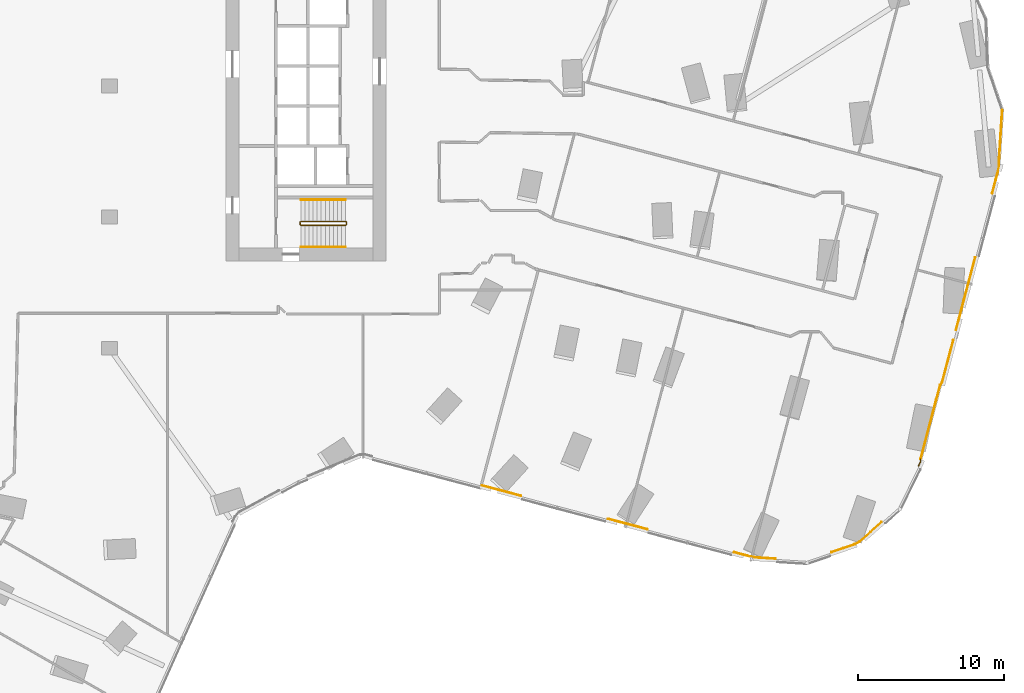
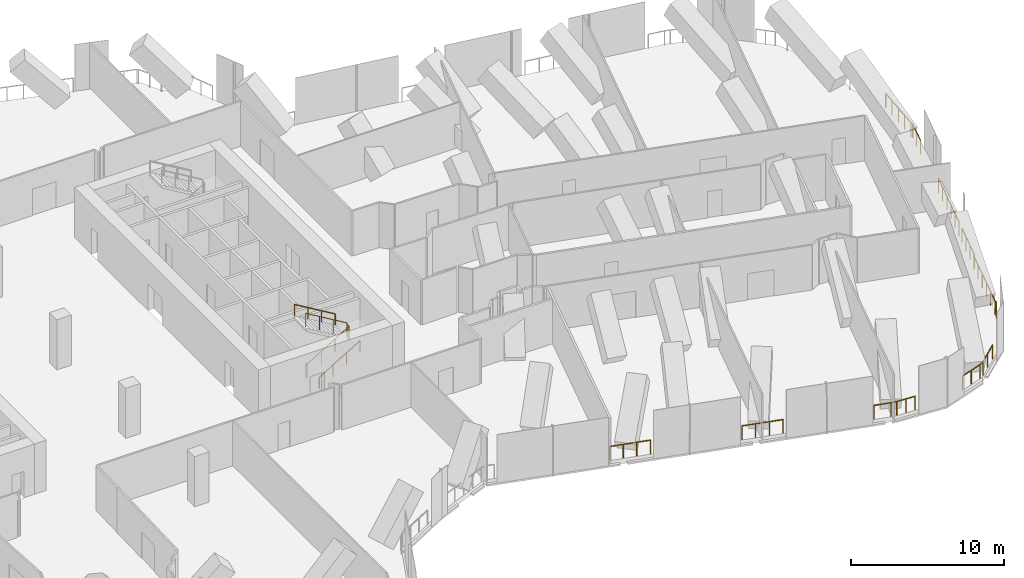
# One storey, part 35 of 37: 11 railings.
"""IFC4 building model written with IfcOpenShell, lengths in metres."""

from ifc_helpers import new_model, si_unit, direction, frame, origin, origin_2d, place, context, subcontext, project, spatial, circle, extrude, material, type_object, element, save


model = new_model("IFC4")

# Units and contexts
model_context = context("Model", 3, precision=1e-05, world=origin(), true_north=direction((0.0, 1.0)))
body_context = subcontext(model_context, "Body", "Model", "MODEL_VIEW")
ifc_project = project(units=[si_unit("LENGTHUNIT", "METRE"), si_unit("AREAUNIT", "SQUARE_METRE"), si_unit("VOLUMEUNIT", "CUBIC_METRE"), si_unit("PLANEANGLEUNIT", "RADIAN"), si_unit("MASSUNIT", "GRAM", prefix="KILO")], contexts=[model_context])

# Site, building, storey
site_placement = place(None, origin())
site = spatial("IfcSite", under=ifc_project, at=site_placement, CompositionType="ELEMENT")
building_placement = place(site_placement, origin())
building = spatial("IfcBuilding", under=site, at=building_placement, Name="Orlundy Tower", CompositionType="ELEMENT")
storey_placement = place(building_placement, frame((0.0, 0.0, 119.699951171875)))
storey = spatial("IfcBuildingStorey", under=building, at=storey_placement, Name="L30", CompositionType="ELEMENT", Elevation=119.699951171875)

# Railings
ifc_material_1 = material(Name="Steel balustrade", Category="steel")
railing_type_1 = type_object("IfcRailingType", Name="Stair Guard 1100", PredefinedType="GUARDRAIL", material=ifc_material_1)
railing_1_placement = place(storey_placement, frame((13.090087890625, -9.5, 0.0)))
element("IfcRailing", 1, at=railing_1_placement, inside=storey, type_object=railing_type_1, Name="L30 ST-E1 stair guard 1", PredefinedType="GUARDRAIL", context=body_context, shape_type="SweptSolid", body=[
    extrude(circle(Radius=0.02392578125, at=origin_2d()), frame((0.0, 0.0, 1.076171875), z_axis=(0.0, 1.0, 0.0), x_axis=(-1.0, 0.0, 0.0)), (0.0, 0.0, 1.0), 0.14990234375),
    extrude(circle(Radius=0.02392578125, at=origin_2d()), frame((0.0, 0.14990234375, 1.076171875), z_axis=(0.1878875253, -0.754313153044, 0.629054802844), x_axis=(0.970351222016, 0.241699205484, 0.0)), (0.0, 0.0, 1.0), 0.26513671875),
    extrude(circle(Radius=0.02392578125, at=origin_2d()), frame((0.0498046875, -0.050048828125, 1.24267578125), z_axis=(0.859308565015, 0.0, 0.511457515432), x_axis=(0.0, 1.0, 0.0)), (0.0, 0.0, 1.0), 3.58447265625),
    extrude(circle(Radius=0.02392578125, at=origin_2d()), frame((3.1298828125, -0.050048828125, 3.076171875), z_axis=(0.707106781187, 0.707106781187, 0.0), x_axis=(-0.707106781187, 0.707106781187, 0.0)), (0.0, 0.0, 1.0), 0.07080078125),
    extrude(circle(Radius=0.02392578125, at=origin_2d()), frame((3.179931640625, 0.0, 3.076171875), z_axis=(0.0, 1.0, 0.0), x_axis=(-1.0, 0.0, 0.0)), (0.0, 0.0, 1.0), 0.14990234375),
    extrude(circle(Radius=0.02392578125, at=origin_2d()), frame((3.179931640625, 0.14990234375, 3.076171875), z_axis=(-0.27628659633, 0.27628659633, 0.920506074601), x_axis=(-0.707106781187, -0.707106781187, 0.0)), (0.0, 0.0, 1.0), 0.18115234375),
    extrude(circle(Radius=0.02392578125, at=origin_2d()), frame((3.1298828125, 0.199951171875, 3.24267578125), z_axis=(-0.859308565015, 0.0, 0.511457515432), x_axis=(0.0, -1.0, 0.0)), (0.0, 0.0, 1.0), 3.58447265625),
    extrude(circle(Radius=0.02099609375, at=origin_2d()), origin(), (0.0, 0.0, 1.0), 1.052001953125),
    extrude(circle(Radius=0.02099609375, at=origin_2d()), frame((0.0, 0.14990234375, 0.0)), (0.0, 0.0, 1.0), 1.052001953125),
    extrude(circle(Radius=0.02099609375, at=origin_2d()), frame((0.0498046875, -0.050048828125, 0.166748046875)), (0.0, 0.0, 1.0), 1.052001953125),
    extrude(circle(Radius=0.02099609375, at=origin_2d()), frame((1.076416015625, -0.050048828125, 0.77783203125)), (0.0, 0.0, 1.0), 1.052001953125),
    extrude(circle(Radius=0.02099609375, at=origin_2d()), frame((2.103271484375, -0.050048828125, 1.388916015625)), (0.0, 0.0, 1.0), 1.052001953125),
    extrude(circle(Radius=0.02099609375, at=origin_2d()), frame((3.1298828125, -0.050048828125, 2.0)), (0.0, 0.0, 1.0), 1.052001953125),
    extrude(circle(Radius=0.02099609375, at=origin_2d()), frame((3.179931640625, 0.0, 2.0)), (0.0, 0.0, 1.0), 1.052001953125),
    extrude(circle(Radius=0.02099609375, at=origin_2d()), frame((3.179931640625, 0.14990234375, 2.0)), (0.0, 0.0, 1.0), 1.052001953125),
    extrude(circle(Radius=0.02099609375, at=origin_2d()), frame((3.1298828125, 0.199951171875, 2.166748046875)), (0.0, 0.0, 1.0), 1.052001953125),
    extrude(circle(Radius=0.02099609375, at=origin_2d()), frame((2.103271484375, 0.199951171875, 2.77783203125)), (0.0, 0.0, 1.0), 1.052001953125),
    extrude(circle(Radius=0.02099609375, at=origin_2d()), frame((1.076416015625, 0.199951171875, 3.388916015625)), (0.0, 0.0, 1.0), 1.052001953125),
    extrude(circle(Radius=0.02099609375, at=origin_2d()), frame((0.0498046875, 0.199951171875, 4.0)), (0.0, 0.0, 1.0), 1.052001953125),
])
ifc_material_2 = material(Name="Steel handrail", Category="steel")
railing_type_2 = type_object("IfcRailingType", Name="Stair Handrail 900", PredefinedType="HANDRAIL", material=ifc_material_2)
railing_2_placement = place(storey_placement, frame((13.139892578125, -11.050048828125, 0.166748046875)))
element("IfcRailing", 2, at=railing_2_placement, inside=storey, type_object=railing_type_2, Name="L30 ST-E1 stair handrail 1", PredefinedType="HANDRAIL", context=body_context, shape_type="SweptSolid", body=[
    extrude(circle(Radius=0.02392578125, at=origin_2d()), frame((0.0, 0.0, 0.8759765625), z_axis=(0.859308565015, 0.0, 0.511457515432), x_axis=(0.0, 1.0, 0.0)), (0.0, 0.0, 1.0), 3.58447265625),
    extrude(circle(Radius=0.02099609375, at=origin_2d()), origin(), (0.0, 0.0, 1.0), 0.851806640625),
    extrude(circle(Radius=0.02099609375, at=origin_2d()), frame((1.026611328125, 0.0, 0.611083984375)), (0.0, 0.0, 1.0), 0.851806640625),
    extrude(circle(Radius=0.02099609375, at=origin_2d()), frame((2.053466796875, 0.0, 1.22216796875)), (0.0, 0.0, 1.0), 0.851806640625),
    extrude(circle(Radius=0.02099609375, at=origin_2d()), frame((3.080078125, 0.0, 1.833251953125)), (0.0, 0.0, 1.0), 0.851806640625),
])
railing_3_placement = place(storey_placement, frame((16.219970703125, -7.800048828125, 2.166748046875)))
element("IfcRailing", 3, at=railing_3_placement, inside=storey, type_object=railing_type_2, Name="L30 ST-E1 stair handrail 2", PredefinedType="HANDRAIL", context=body_context, shape_type="SweptSolid", body=[
    extrude(circle(Radius=0.02392578125, at=origin_2d()), frame((0.0, 0.0, 0.8759765625), z_axis=(-0.859308565015, 0.0, 0.511457515432), x_axis=(0.0, -1.0, 0.0)), (0.0, 0.0, 1.0), 3.58447265625),
    extrude(circle(Radius=0.02099609375, at=origin_2d()), origin(), (0.0, 0.0, 1.0), 0.851806640625),
    extrude(circle(Radius=0.02099609375, at=origin_2d()), frame((-1.026611328125, 0.0, 0.611083984375)), (0.0, 0.0, 1.0), 0.851806640625),
    extrude(circle(Radius=0.02099609375, at=origin_2d()), frame((-2.053466796875, 0.0, 1.22216796875)), (0.0, 0.0, 1.0), 0.851806640625),
    extrude(circle(Radius=0.02099609375, at=origin_2d()), frame((-3.080078125, 0.0, 1.833251953125)), (0.0, 0.0, 1.0), 0.851806640625),
])
ifc_material_3 = material(Name="Stainless steel bronze finish", Category="steel")
railing_type_3 = type_object("IfcRailingType", Name="TG1 terrace guard", PredefinedType="GUARDRAIL", material=ifc_material_3)
railing_4_placement = place(storey_placement, frame((57.924560546875, -17.444580078125, 0.0)))
element("IfcRailing", 4, at=railing_4_placement, inside=storey, type_object=railing_type_3, Name="Guard TG-L30-E01", PredefinedType="GUARDRAIL", context=body_context, shape_type="SweptSolid", body=[
    extrude(circle(Radius=0.02490234375, at=origin_2d()), frame((0.0, 0.0, 1.09521484375), z_axis=(-0.255959307902, -0.966687556917, 0.0), x_axis=(0.966687556917, -0.255959307902, 0.0)), (0.0, 0.0, 1.0), 3.01611328125),
    extrude(circle(Radius=0.02490234375, at=origin_2d()), frame((-0.77197265625, -2.91552734375, 1.09521484375), z_axis=(-0.597095554311, -0.802170118505, 0.0), x_axis=(0.802170118505, -0.597095554311, 0.0)), (0.0, 0.0, 1.0), 0.215576171875),
    extrude(circle(Radius=0.02490234375, at=origin_2d()), frame((-0.900634765625, -3.08837890625, 1.09521484375), z_axis=(-0.255980747007, -0.966681880022, 0.0), x_axis=(0.966681880022, -0.255980747007, 0.0)), (0.0, 0.0, 1.0), 5.25048828125),
    extrude(circle(Radius=0.02001953125, at=origin_2d()), origin(), (0.0, 0.0, 1.0), 1.070068359375),
    extrude(circle(Radius=0.02001953125, at=origin_2d()), frame((-0.25732421875, -0.971923828125, 0.0)), (0.0, 0.0, 1.0), 1.070068359375),
    extrude(circle(Radius=0.02001953125, at=origin_2d()), frame((-0.5146484375, -1.943603515625, 0.0)), (0.0, 0.0, 1.0), 1.070068359375),
    extrude(circle(Radius=0.02001953125, at=origin_2d()), frame((-0.77197265625, -2.91552734375, 0.0)), (0.0, 0.0, 1.0), 1.070068359375),
    extrude(circle(Radius=0.02001953125, at=origin_2d()), frame((-0.900634765625, -3.08837890625, 0.0)), (0.0, 0.0, 1.0), 1.070068359375),
    extrude(circle(Radius=0.02001953125, at=origin_2d()), frame((-1.16943359375, -4.103515625, 0.0)), (0.0, 0.0, 1.0), 1.070068359375),
    extrude(circle(Radius=0.02001953125, at=origin_2d()), frame((-1.438232421875, -5.11865234375, 0.0)), (0.0, 0.0, 1.0), 1.070068359375),
    extrude(circle(Radius=0.02001953125, at=origin_2d()), frame((-1.70703125, -6.133544921875, 0.0)), (0.0, 0.0, 1.0), 1.070068359375),
    extrude(circle(Radius=0.02001953125, at=origin_2d()), frame((-1.975830078125, -7.148681640625, 0.0)), (0.0, 0.0, 1.0), 1.070068359375),
    extrude(circle(Radius=0.02001953125, at=origin_2d()), frame((-2.24462890625, -8.163818359375, 0.0)), (0.0, 0.0, 1.0), 1.070068359375),
])
railing_5_placement = place(storey_placement, frame((61.28271484375, -1.6552734375, 0.0)))
element("IfcRailing", 5, at=railing_5_placement, inside=storey, type_object=railing_type_3, Name="Guard TG-L30-E010", PredefinedType="GUARDRAIL", context=body_context, shape_type="SweptSolid", body=[
    extrude(circle(Radius=0.02490234375, at=origin_2d()), frame((0.0, 0.0, 1.09521484375), z_axis=(-0.062584657762, -0.998039658838, 0.0), x_axis=(0.998039658838, -0.062584657762, 0.0)), (0.0, 0.0, 1.0), 3.6826171875),
    extrude(circle(Radius=0.02490234375, at=origin_2d()), frame((-0.23046875, -3.67529296875, 1.09521484375), z_axis=(0.154531436386, -0.987987871974, 0.0), x_axis=(0.987987871974, 0.154531436386, 0.0)), (0.0, 0.0, 1.0), 0.192626953125),
    extrude(circle(Radius=0.02490234375, at=origin_2d()), frame((-0.20068359375, -3.86572265625, 1.09521484375), z_axis=(-0.255994737543, -0.96667817517, 0.0), x_axis=(0.96667817517, -0.255994737543, 0.0)), (0.0, 0.0, 1.0), 1.904541015625),
    extrude(circle(Radius=0.02001953125, at=origin_2d()), origin(), (0.0, 0.0, 1.0), 1.070068359375),
    extrude(circle(Radius=0.02001953125, at=origin_2d()), frame((-0.0576171875, -0.9189453125, 0.0)), (0.0, 0.0, 1.0), 1.070068359375),
    extrude(circle(Radius=0.02001953125, at=origin_2d()), frame((-0.115234375, -1.837646484375, 0.0)), (0.0, 0.0, 1.0), 1.070068359375),
    extrude(circle(Radius=0.02001953125, at=origin_2d()), frame((-0.1728515625, -2.75634765625, 0.0)), (0.0, 0.0, 1.0), 1.070068359375),
    extrude(circle(Radius=0.02001953125, at=origin_2d()), frame((-0.23046875, -3.67529296875, 0.0)), (0.0, 0.0, 1.0), 1.070068359375),
    extrude(circle(Radius=0.02001953125, at=origin_2d()), frame((-0.20068359375, -3.86572265625, 0.0)), (0.0, 0.0, 1.0), 1.070068359375),
    extrude(circle(Radius=0.02001953125, at=origin_2d()), frame((-0.4443359375, -4.7861328125, 0.0)), (0.0, 0.0, 1.0), 1.070068359375),
    extrude(circle(Radius=0.02001953125, at=origin_2d()), frame((-0.688232421875, -5.706787109375, 0.0)), (0.0, 0.0, 1.0), 1.070068359375),
])
railing_6_placement = place(storey_placement, frame((59.43115234375, -11.755615234375, 0.0)))
element("IfcRailing", 6, at=railing_6_placement, inside=storey, type_object=railing_type_3, Name="Guard TG-L30-E015", PredefinedType="GUARDRAIL", context=body_context, shape_type="SweptSolid", body=[
    extrude(circle(Radius=0.02490234375, at=origin_2d()), frame((0.0, 0.0, 1.09521484375), z_axis=(-0.255992852535, -0.966678674354, 0.0), x_axis=(0.966678674354, -0.255992852535, 0.0)), (0.0, 0.0, 1.0), 5.15185546875),
    extrude(circle(Radius=0.02001953125, at=origin_2d()), origin(), (0.0, 0.0, 1.0), 1.070068359375),
    extrude(circle(Radius=0.02001953125, at=origin_2d()), frame((-0.263671875, -0.99609375, 0.0)), (0.0, 0.0, 1.0), 1.070068359375),
    extrude(circle(Radius=0.02001953125, at=origin_2d()), frame((-0.527587890625, -1.9921875, 0.0)), (0.0, 0.0, 1.0), 1.070068359375),
    extrude(circle(Radius=0.02001953125, at=origin_2d()), frame((-0.791259765625, -2.988037109375, 0.0)), (0.0, 0.0, 1.0), 1.070068359375),
    extrude(circle(Radius=0.02001953125, at=origin_2d()), frame((-1.05517578125, -3.984130859375, 0.0)), (0.0, 0.0, 1.0), 1.070068359375),
    extrude(circle(Radius=0.02001953125, at=origin_2d()), frame((-1.31884765625, -4.980224609375, 0.0)), (0.0, 0.0, 1.0), 1.070068359375),
])
railing_7_placement = place(storey_placement, frame((53.006591796875, -29.937255859375, 0.0)))
element("IfcRailing", 7, at=railing_7_placement, inside=storey, type_object=railing_type_3, Name="Guard TG-L30-E021", PredefinedType="GUARDRAIL", context=body_context, shape_type="SweptSolid", body=[
    extrude(circle(Radius=0.02490234375, at=origin_2d()), frame((0.0, 0.0, 1.09521484375), z_axis=(-0.749934210991, -0.661512418012, 0.0), x_axis=(0.661512418012, -0.749934210991, 0.0)), (0.0, 0.0, 1.0), 1.996337890625),
    extrude(circle(Radius=0.02490234375, at=origin_2d()), frame((-1.4970703125, -1.320556640625, 1.09521484375), z_axis=(-0.864670888551, -0.502338784578, 0.0), x_axis=(0.502338784578, -0.864670888551, 0.0)), (0.0, 0.0, 1.0), 0.376708984375),
    extrude(circle(Radius=0.02490234375, at=origin_2d()), frame((-1.82275390625, -1.509765625, 1.09521484375), z_axis=(-0.945939730138, -0.324342453197, 0.0), x_axis=(0.324342453197, -0.945939730138, 0.0)), (0.0, 0.0, 1.0), 1.721435546875),
    extrude(circle(Radius=0.02001953125, at=origin_2d()), origin(), (0.0, 0.0, 1.0), 1.070068359375),
    extrude(circle(Radius=0.02001953125, at=origin_2d()), frame((-0.74853515625, -0.66015625, 0.0)), (0.0, 0.0, 1.0), 1.070068359375),
    extrude(circle(Radius=0.02001953125, at=origin_2d()), frame((-1.4970703125, -1.320556640625, 0.0)), (0.0, 0.0, 1.0), 1.070068359375),
    extrude(circle(Radius=0.02001953125, at=origin_2d()), frame((-1.82275390625, -1.509765625, 0.0)), (0.0, 0.0, 1.0), 1.070068359375),
    extrude(circle(Radius=0.02001953125, at=origin_2d()), frame((-2.636962890625, -1.7890625, 0.0)), (0.0, 0.0, 1.0), 1.070068359375),
    extrude(circle(Radius=0.02001953125, at=origin_2d()), frame((-3.451171875, -2.068115234375, 0.0)), (0.0, 0.0, 1.0), 1.070068359375),
])
railing_8_placement = place(storey_placement, frame((45.72314453125, -32.44677734375, 0.0)))
element("IfcRailing", 8, at=railing_8_placement, inside=storey, type_object=railing_type_3, Name="Guard TG-L30-E032", PredefinedType="GUARDRAIL", context=body_context, shape_type="SweptSolid", body=[
    extrude(circle(Radius=0.02490234375, at=origin_2d()), frame((0.0, 0.0, 1.09521484375), z_axis=(-0.998033443503, 0.06268369525, 0.0), x_axis=(-0.06268369525, -0.998033443503, 0.0)), (0.0, 0.0, 1.0), 1.34375),
    extrude(circle(Radius=0.02490234375, at=origin_2d()), frame((-1.341064453125, 0.084228515625, 1.09521484375), z_axis=(-0.987094790247, 0.160137050889, 0.0), x_axis=(-0.160137050889, -0.987094790247, 0.0)), (0.0, 0.0, 1.0), 0.390380859375),
    extrude(circle(Radius=0.02490234375, at=origin_2d()), frame((-1.726318359375, 0.146728515625, 1.09521484375), z_axis=(-0.966662104002, 0.256055417216, 0.0), x_axis=(-0.256055417216, -0.966662104002, 0.0)), (0.0, 0.0, 1.0), 1.15380859375),
    extrude(circle(Radius=0.02001953125, at=origin_2d()), origin(), (0.0, 0.0, 1.0), 1.070068359375),
    extrude(circle(Radius=0.02001953125, at=origin_2d()), frame((-0.67041015625, 0.0419921875, 0.0)), (0.0, 0.0, 1.0), 1.070068359375),
    extrude(circle(Radius=0.02001953125, at=origin_2d()), frame((-1.341064453125, 0.084228515625, 0.0)), (0.0, 0.0, 1.0), 1.070068359375),
    extrude(circle(Radius=0.02001953125, at=origin_2d()), frame((-1.726318359375, 0.146728515625, 0.0)), (0.0, 0.0, 1.0), 1.070068359375),
    extrude(circle(Radius=0.02001953125, at=origin_2d()), frame((-2.841552734375, 0.442138671875, 0.0)), (0.0, 0.0, 1.0), 1.070068359375),
])
railing_9_placement = place(storey_placement, frame((36.9267578125, -30.427734375, 0.0)))
element("IfcRailing", 9, at=railing_9_placement, inside=storey, type_object=railing_type_3, Name="Guard TG-L30-E033", PredefinedType="GUARDRAIL", context=body_context, shape_type="SweptSolid", body=[
    extrude(circle(Radius=0.02490234375, at=origin_2d()), frame((0.0, 0.0, 1.09521484375), z_axis=(-0.966656768132, 0.256075560382, 0.0), x_axis=(-0.256075560382, -0.966656768132, 0.0)), (0.0, 0.0, 1.0), 2.786865234375),
    extrude(circle(Radius=0.02001953125, at=origin_2d()), origin(), (0.0, 0.0, 1.0), 1.070068359375),
    extrude(circle(Radius=0.02001953125, at=origin_2d()), frame((-0.89794921875, 0.23779296875, 0.0)), (0.0, 0.0, 1.0), 1.070068359375),
    extrude(circle(Radius=0.02001953125, at=origin_2d()), frame((-1.7958984375, 0.475830078125, 0.0)), (0.0, 0.0, 1.0), 1.070068359375),
    extrude(circle(Radius=0.02001953125, at=origin_2d()), frame((-2.69384765625, 0.713623046875, 0.0)), (0.0, 0.0, 1.0), 1.070068359375),
])
railing_10_placement = place(storey_placement, frame((28.242431640625, -28.127685546875, 0.0)))
element("IfcRailing", 10, at=railing_10_placement, inside=storey, type_object=railing_type_3, Name="Guard TG-L30-E034", PredefinedType="GUARDRAIL", context=body_context, shape_type="SweptSolid", body=[
    extrude(circle(Radius=0.02490234375, at=origin_2d()), frame((0.0, 0.0, 1.09521484375), z_axis=(-0.966686466377, 0.255963426534, 0.0), x_axis=(-0.255963426534, -0.966686466377, 0.0)), (0.0, 0.0, 1.0), 2.74609375),
    extrude(circle(Radius=0.02001953125, at=origin_2d()), origin(), (0.0, 0.0, 1.0), 1.070068359375),
    extrude(circle(Radius=0.02001953125, at=origin_2d()), frame((-0.884765625, 0.234375, 0.0)), (0.0, 0.0, 1.0), 1.070068359375),
    extrude(circle(Radius=0.02001953125, at=origin_2d()), frame((-1.769775390625, 0.468505859375, 0.0)), (0.0, 0.0, 1.0), 1.070068359375),
    extrude(circle(Radius=0.02001953125, at=origin_2d()), frame((-2.654541015625, 0.702880859375, 0.0)), (0.0, 0.0, 1.0), 1.070068359375),
])
railing_11_placement = place(storey_placement, frame((55.679931640625, -25.6083984375, 0.0)))
element("IfcRailing", 11, at=railing_11_placement, inside=storey, type_object=railing_type_3, Name="Guard TG-L30-E037", PredefinedType="GUARDRAIL", context=body_context, shape_type="SweptSolid", body=[
    extrude(circle(Radius=0.02490234375, at=origin_2d()), frame((0.0, 0.0, 1.09521484375), z_axis=(-0.040524351881, -0.999178551063, 0.0), x_axis=(0.999178551063, -0.040524351881, 0.0)), (0.0, 0.0, 1.0), 0.19287109375),
    extrude(circle(Radius=0.02490234375, at=origin_2d()), frame((-0.0078125, -0.192626953125, 1.09521484375), z_axis=(-0.43967394065, -0.898157461648, 0.0), x_axis=(0.898157461648, -0.43967394065, 0.0)), (0.0, 0.0, 1.0), 0.3115234375),
    extrude(circle(Radius=0.02001953125, at=origin_2d()), origin(), (0.0, 0.0, 1.0), 1.070068359375),
    extrude(circle(Radius=0.02001953125, at=origin_2d()), frame((-0.0078125, -0.192626953125, 0.0)), (0.0, 0.0, 1.0), 1.070068359375),
    extrude(circle(Radius=0.02001953125, at=origin_2d()), frame((-0.144775390625, -0.472412109375, 0.0)), (0.0, 0.0, 1.0), 1.070068359375),
])

save(model, "model.ifc")
